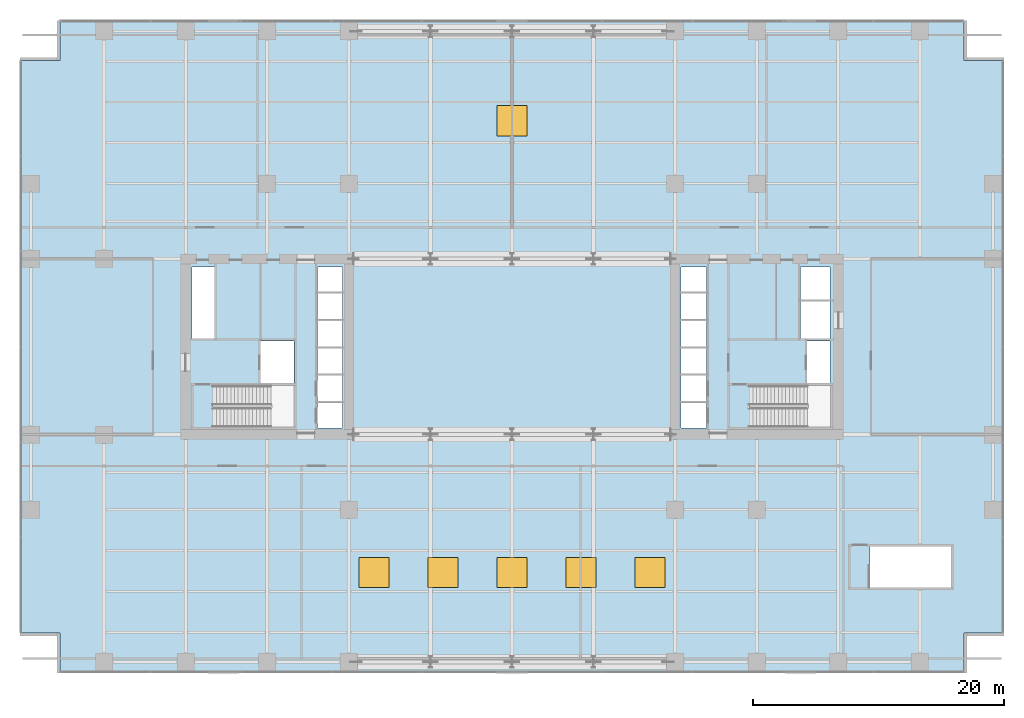
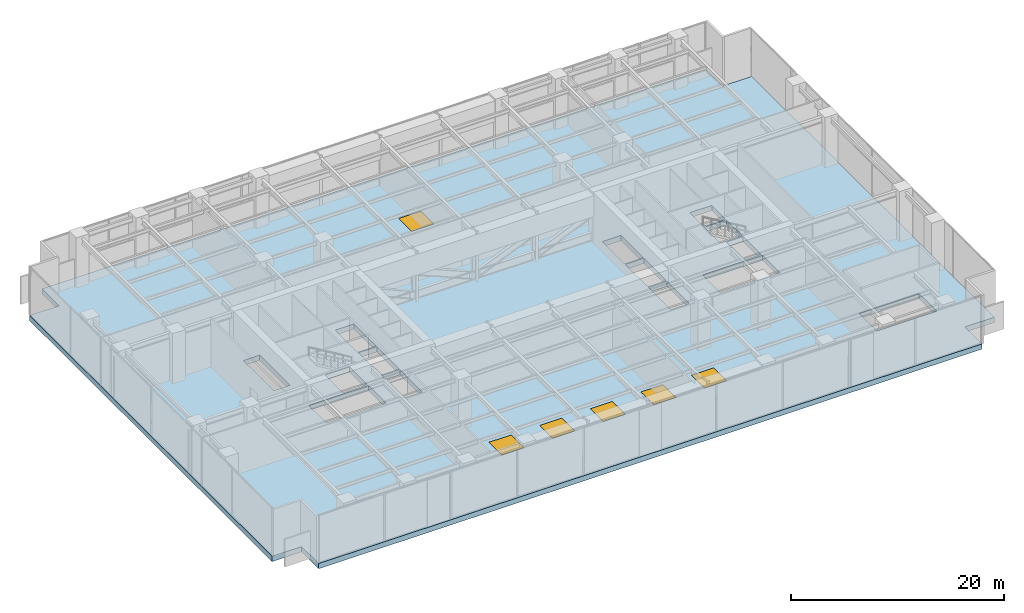
# One storey, part 17 of 25: 6 windows, 1 slab, 6 openings.
"""IFC4 building model written with IfcOpenShell, lengths in metres."""

from ifc_helpers import new_model, si_unit, direction, frame, origin, origin_2d, place, context, subcontext, project, spatial, polyline, rectangle, outline, extrude, material, layer, layer_set, type_object, element, fill, save


model = new_model("IFC4")

# Units and contexts
model_context = context("Model", 3, precision=1e-05, world=origin(), true_north=direction((0.0, 1.0)))
body_context = subcontext(model_context, "Body", "Model", "MODEL_VIEW")
ifc_project = project(units=[si_unit("LENGTHUNIT", "METRE"), si_unit("AREAUNIT", "SQUARE_METRE"), si_unit("VOLUMEUNIT", "CUBIC_METRE"), si_unit("PLANEANGLEUNIT", "RADIAN"), si_unit("MASSUNIT", "GRAM", prefix="KILO")], contexts=[model_context])

# Site, building, storey
site_placement = place(None, origin())
site = spatial("IfcSite", under=ifc_project, at=site_placement, CompositionType="ELEMENT")
building_placement = place(site_placement, origin())
building = spatial("IfcBuilding", under=site, at=building_placement, Name="Putna Gate Headquarters", CompositionType="ELEMENT")
storey_placement = place(building_placement, frame((0.0, 0.0, 22.0)))
storey = spatial("IfcBuildingStorey", under=building, at=storey_placement, Name="L04", CompositionType="ELEMENT", Elevation=22.0)

# Slab, openings, windows
ifc_material_1 = material(Name="Concrete C50/60", Category="concrete")
ifc_layer = layer(ifc_material_1, 0.60009765625)
ifc_layer_set = layer_set([ifc_layer], Name="Concrete C50/60")
slab_type = type_object("IfcSlabType", Name="SLAB-TRANS-600", PredefinedType="FLOOR", material=ifc_layer_set)
slab_placement = place(storey_placement, frame((0.0, 0.0, -0.60009765625)))
slab = element("IfcSlab", 1, at=slab_placement, inside=storey, type_object=slab_type, Name="L04 Composite Floor Slab", PredefinedType="FLOOR", context=body_context, shape_type="SweptSolid", body=[
    extrude(outline(polyline([(3.0, 0.0), (75.0, 0.0), (75.0, 3.199951171875), (78.199951171875, 3.199951171875), (78.199951171875, 48.800048828125), (75.0, 48.800048828125), (75.0, 52.0), (3.0, 52.0), (3.0, 48.800048828125), (-0.199951171875, 48.800048828125), (-0.199951171875, 3.199951171875), (3.0, 3.199951171875), (3.0, 0.0)]), holes=[polyline([(15.1650390625, 19.60009765625), (21.64990234375, 19.60009765625), (21.64990234375, 22.89990234375), (15.1650390625, 22.89990234375), (15.1650390625, 19.60009765625)]), polyline([(57.9150390625, 19.60009765625), (64.39990234375, 19.60009765625), (64.39990234375, 22.89990234375), (57.9150390625, 22.89990234375), (57.9150390625, 19.60009765625)]), polyline([(67.514892578125, 6.800048828125), (74.0, 6.800048828125), (74.0, 10.10009765625), (67.514892578125, 10.10009765625), (67.514892578125, 6.800048828125)]), polyline([(13.52001953125, 26.659912109375), (15.280029296875, 26.659912109375), (15.280029296875, 32.35009765625), (13.52001953125, 32.35009765625), (13.52001953125, 26.659912109375)]), polyline([(61.969970703125, 29.780029296875), (64.35009765625, 29.780029296875), (64.35009765625, 32.35009765625), (61.969970703125, 32.35009765625), (61.969970703125, 29.780029296875)]), polyline([(18.97998046875, 23.1201171875), (21.6201171875, 23.1201171875), (21.6201171875, 26.4599609375), (18.97998046875, 26.4599609375), (18.97998046875, 23.1201171875)]), polyline([(62.52001953125, 23.1201171875), (64.35009765625, 23.1201171875), (64.35009765625, 26.4599609375), (62.52001953125, 26.4599609375), (62.52001953125, 23.1201171875)]), polyline([(61.969970703125, 26.659912109375), (64.35009765625, 26.659912109375), (64.35009765625, 29.6201171875), (61.969970703125, 29.6201171875), (61.969970703125, 26.659912109375)]), polyline([(23.5, 19.52001953125), (25.5, 19.52001953125), (25.5, 23.699951171875), (23.5, 23.699951171875), (23.5, 19.52001953125)]), polyline([(52.47998046875, 19.52001953125), (54.5, 19.52001953125), (54.5, 23.699951171875), (52.47998046875, 23.699951171875), (52.47998046875, 19.52001953125)]), polyline([(23.5, 23.860107421875), (25.5, 23.860107421875), (25.5, 28.0400390625), (23.5, 28.0400390625), (23.5, 23.860107421875)]), polyline([(52.47998046875, 23.860107421875), (54.5, 23.860107421875), (54.5, 28.0400390625), (52.47998046875, 28.0400390625), (52.47998046875, 23.860107421875)]), polyline([(23.5, 28.199951171875), (25.5, 28.199951171875), (25.5, 32.35009765625), (23.5, 32.35009765625), (23.5, 28.199951171875)]), polyline([(52.47998046875, 28.199951171875), (54.5, 28.199951171875), (54.5, 32.35009765625), (52.47998046875, 32.35009765625), (52.47998046875, 28.199951171875)])]), origin(), (0.0, 0.0, 1.0), 0.60009765625),
])
opening_1_placement = place(slab_placement, frame((28.0, 8.0, 0.0)))
opening_1 = element("IfcOpeningElement", 2, at=opening_1_placement, cuts=slab, Name="Opening SK-1", PredefinedType="OPENING", context=body_context, shape_type="SweptSolid", body=[
    extrude(rectangle(XDim=2.39990234375, YDim=2.39990234375, at=origin_2d()), origin(), (0.0, 0.0, 1.0), 0.60009765625),
])
opening_2_placement = place(slab_placement, frame((33.5, 8.0, 0.0)))
opening_2 = element("IfcOpeningElement", 3, at=opening_2_placement, cuts=slab, Name="Opening SK-1", PredefinedType="OPENING", context=body_context, shape_type="SweptSolid", body=[
    extrude(rectangle(XDim=2.39990234375, YDim=2.39990234375, at=origin_2d()), origin(), (0.0, 0.0, 1.0), 0.60009765625),
])
opening_3_placement = place(slab_placement, frame((39.0, 8.0, 0.0)))
opening_3 = element("IfcOpeningElement", 4, at=opening_3_placement, cuts=slab, Name="Opening SK-1", PredefinedType="OPENING", context=body_context, shape_type="SweptSolid", body=[
    extrude(rectangle(XDim=2.39990234375, YDim=2.39990234375, at=origin_2d()), origin(), (0.0, 0.0, 1.0), 0.60009765625),
])
opening_4_placement = place(slab_placement, frame((44.5, 8.0, 0.0)))
opening_4 = element("IfcOpeningElement", 5, at=opening_4_placement, cuts=slab, Name="Opening SK-1", PredefinedType="OPENING", context=body_context, shape_type="SweptSolid", body=[
    extrude(rectangle(XDim=2.39990234375, YDim=2.39990234375, at=origin_2d()), origin(), (0.0, 0.0, 1.0), 0.60009765625),
])
opening_5_placement = place(slab_placement, frame((50.0, 8.0, 0.0)))
opening_5 = element("IfcOpeningElement", 6, at=opening_5_placement, cuts=slab, Name="Opening SK-1", PredefinedType="OPENING", context=body_context, shape_type="SweptSolid", body=[
    extrude(rectangle(XDim=2.39990234375, YDim=2.39990234375, at=origin_2d()), origin(), (0.0, 0.0, 1.0), 0.60009765625),
])
opening_6_placement = place(slab_placement, frame((39.0, 44.0, 0.0)))
opening_6 = element("IfcOpeningElement", 7, at=opening_6_placement, cuts=slab, Name="Opening SK-1", PredefinedType="OPENING", context=body_context, shape_type="SweptSolid", body=[
    extrude(rectangle(XDim=2.39990234375, YDim=2.39990234375, at=origin_2d()), origin(), (0.0, 0.0, 1.0), 0.60009765625),
])
ifc_material_2 = material(Name="Triple low-E insulated glazing in bronze aluminium frame", Category="aluminium")
window_type = type_object("IfcWindowType", Name="WIN-SKY-2400x2400", PartitioningType="SINGLE_PANEL", PredefinedType="SKYLIGHT", material=ifc_material_2)
window_1_placement = place(opening_1_placement, frame((0.0, 0.0, 0.550048828125)))
window_1 = element("IfcWindow", 8, at=window_1_placement, inside=storey, type_object=window_type, Name="L04 Podium Atrium Skylight 1", OverallHeight=2.39990234375, OverallWidth=2.39990234375, PartitioningType="SINGLE_PANEL", PredefinedType="SKYLIGHT", context=body_context, shape_type="SweptSolid", body=[
    extrude(rectangle(XDim=2.39990234375, YDim=2.39990234375, at=origin_2d()), origin(), (0.0, 0.0, 1.0), 0.050048828125),
])
fill(opening_1, window_1)
window_2_placement = place(opening_2_placement, frame((0.0, 0.0, 0.550048828125)))
window_2 = element("IfcWindow", 9, at=window_2_placement, inside=storey, type_object=window_type, Name="L04 Podium Atrium Skylight 2", OverallHeight=2.39990234375, OverallWidth=2.39990234375, PartitioningType="SINGLE_PANEL", PredefinedType="SKYLIGHT", context=body_context, shape_type="SweptSolid", body=[
    extrude(rectangle(XDim=2.39990234375, YDim=2.39990234375, at=origin_2d()), origin(), (0.0, 0.0, 1.0), 0.050048828125),
])
fill(opening_2, window_2)
window_3_placement = place(opening_3_placement, frame((0.0, 0.0, 0.550048828125)))
window_3 = element("IfcWindow", 10, at=window_3_placement, inside=storey, type_object=window_type, Name="L04 Podium Atrium Skylight 3", OverallHeight=2.39990234375, OverallWidth=2.39990234375, PartitioningType="SINGLE_PANEL", PredefinedType="SKYLIGHT", context=body_context, shape_type="SweptSolid", body=[
    extrude(rectangle(XDim=2.39990234375, YDim=2.39990234375, at=origin_2d()), origin(), (0.0, 0.0, 1.0), 0.050048828125),
])
fill(opening_3, window_3)
window_4_placement = place(opening_4_placement, frame((0.0, 0.0, 0.550048828125)))
window_4 = element("IfcWindow", 11, at=window_4_placement, inside=storey, type_object=window_type, Name="L04 Podium Atrium Skylight 4", OverallHeight=2.39990234375, OverallWidth=2.39990234375, PartitioningType="SINGLE_PANEL", PredefinedType="SKYLIGHT", context=body_context, shape_type="SweptSolid", body=[
    extrude(rectangle(XDim=2.39990234375, YDim=2.39990234375, at=origin_2d()), origin(), (0.0, 0.0, 1.0), 0.050048828125),
])
fill(opening_4, window_4)
window_5_placement = place(opening_5_placement, frame((0.0, 0.0, 0.550048828125)))
window_5 = element("IfcWindow", 12, at=window_5_placement, inside=storey, type_object=window_type, Name="L04 Podium Atrium Skylight 5", OverallHeight=2.39990234375, OverallWidth=2.39990234375, PartitioningType="SINGLE_PANEL", PredefinedType="SKYLIGHT", context=body_context, shape_type="SweptSolid", body=[
    extrude(rectangle(XDim=2.39990234375, YDim=2.39990234375, at=origin_2d()), origin(), (0.0, 0.0, 1.0), 0.050048828125),
])
fill(opening_5, window_5)
window_6_placement = place(opening_6_placement, frame((0.0, 0.0, 0.550048828125)))
window_6 = element("IfcWindow", 13, at=window_6_placement, inside=storey, type_object=window_type, Name="L04 Podium Atrium Skylight 6", OverallHeight=2.39990234375, OverallWidth=2.39990234375, PartitioningType="SINGLE_PANEL", PredefinedType="SKYLIGHT", context=body_context, shape_type="SweptSolid", body=[
    extrude(rectangle(XDim=2.39990234375, YDim=2.39990234375, at=origin_2d()), origin(), (0.0, 0.0, 1.0), 0.050048828125),
])
fill(opening_6, window_6)

save(model, "model.ifc")
